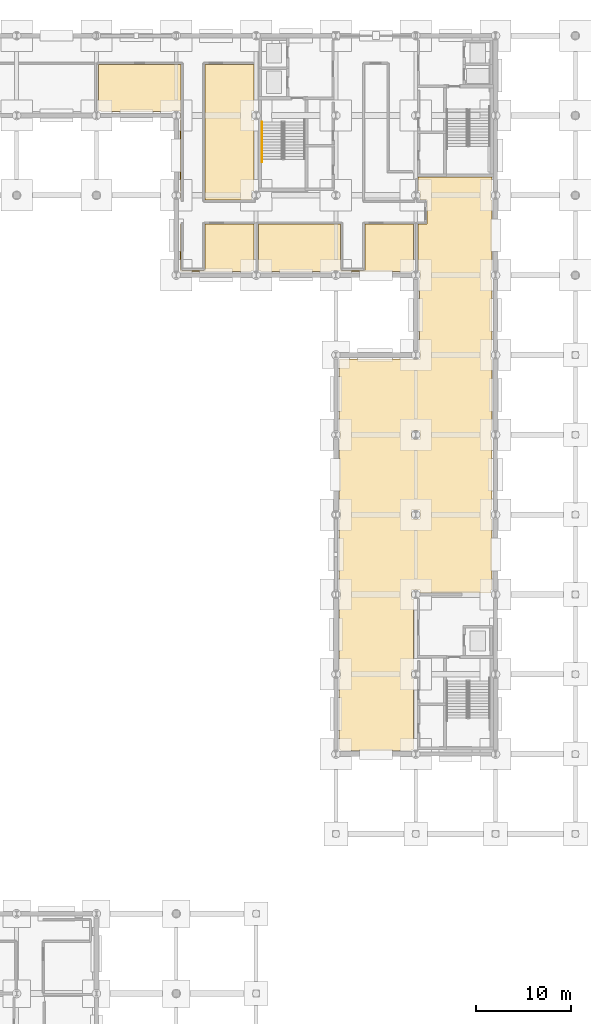
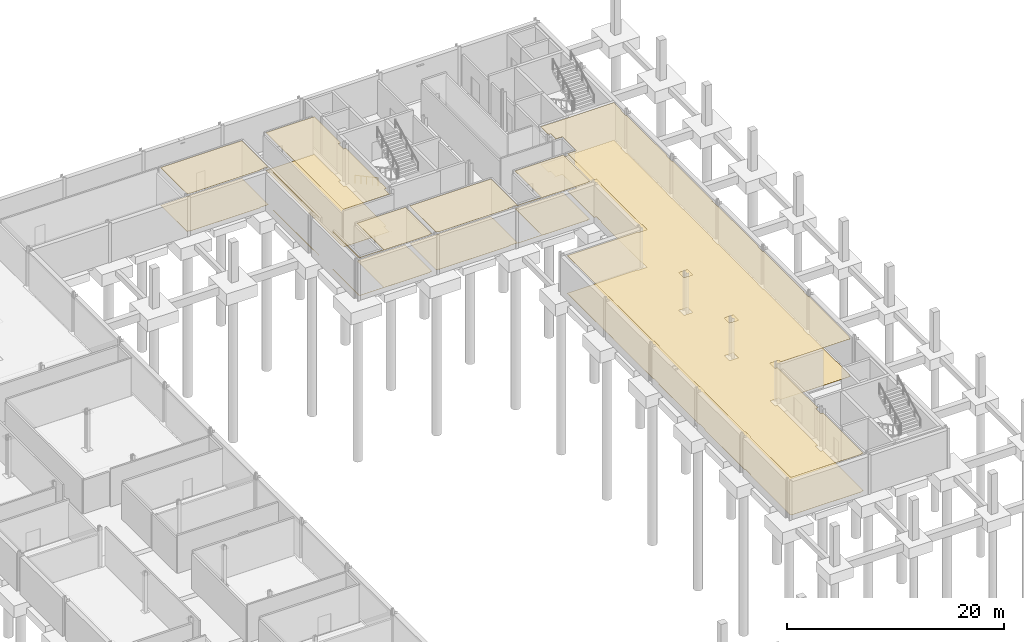
# One storey, part 41 of 43: 10 coverings, 1 railing.
"""IFC4 building model written with IfcOpenShell, lengths in metres."""

from ifc_helpers import new_model, si_unit, direction, frame, origin, origin_2d, place, context, subcontext, project, spatial, polyline, circle, outline, extrude, material, layer, layer_set, type_object, element, save


model = new_model("IFC4")

# Units and contexts
model_context = context("Model", 3, precision=1e-05, world=origin(), true_north=direction((0.0, 1.0)))
body_context = subcontext(model_context, "Body", "Model", "MODEL_VIEW")
ifc_project = project(units=[si_unit("LENGTHUNIT", "METRE"), si_unit("AREAUNIT", "SQUARE_METRE"), si_unit("VOLUMEUNIT", "CUBIC_METRE"), si_unit("PLANEANGLEUNIT", "RADIAN"), si_unit("MASSUNIT", "GRAM", prefix="KILO")], contexts=[model_context])

# Site, building, storey
site_placement = place(None, origin())
site = spatial("IfcSite", under=ifc_project, at=site_placement, CompositionType="ELEMENT")
building_placement = place(site_placement, origin())
building = spatial("IfcBuilding", under=site, at=building_placement, Name="Mersafa Astral City Hall", CompositionType="ELEMENT")
storey_placement = place(building_placement, frame((0.0, 0.0, -4.5)))
storey = spatial("IfcBuildingStorey", under=building, at=storey_placement, Name="B1", CompositionType="ELEMENT", Elevation=-4.5)

# Railing
ifc_material_1 = material(Name="Brushed stainless steel tubular handrail", Category="steel")
railing_type = type_object("IfcRailingType", Name="HANDRAIL", PredefinedType="HANDRAIL", material=ifc_material_1)
railing_placement = place(storey_placement, frame((151.830078125, 116.89990234375, 0.16064453125)))
element("IfcRailing", 1, at=railing_placement, inside=storey, type_object=railing_type, Name="B1 ST1 stair handrail 1", PredefinedType="HANDRAIL", context=body_context, shape_type="SweptSolid", body=[
    extrude(circle(Radius=0.02392578125, at=origin_2d()), frame((0.0, 0.0, 0.8759765625), z_axis=(0.0, -0.881200344737, 0.472743008869), x_axis=(1.0, 0.0, 0.0)), (0.0, 0.0, 1.0), 4.76611328125),
    extrude(circle(Radius=0.02099609375, at=origin_2d()), origin(), (0.0, 0.0, 1.0), 0.851806640625),
    extrude(circle(Radius=0.02099609375, at=origin_2d()), frame((0.0, -1.050048828125, 0.563232421875)), (0.0, 0.0, 1.0), 0.851806640625),
    extrude(circle(Radius=0.02099609375, at=origin_2d()), frame((0.0, -2.10009765625, 1.12646484375)), (0.0, 0.0, 1.0), 0.851806640625),
    extrude(circle(Radius=0.02099609375, at=origin_2d()), frame((0.0, -3.14990234375, 1.68994140625)), (0.0, 0.0, 1.0), 0.851806640625),
    extrude(circle(Radius=0.02099609375, at=origin_2d()), frame((0.0, -4.199951171875, 2.253173828125)), (0.0, 0.0, 1.0), 0.851806640625),
])

# Coverings
ifc_material_2 = material(Name="Perforated acoustic gypsum board ceiling", Category="gypsum")
ifc_layer_1 = layer(ifc_material_2, 0.02490234375, Name="Perforated acoustic gypsum board ceiling")
ifc_layer_set_1 = layer_set([ifc_layer_1], Name="Perforated acoustic gypsum board ceiling — INT-COV-CEIL-25")
covering_type_1 = type_object("IfcCoveringType", Name="INT-COV-CEIL-25", PredefinedType="CEILING", material=ifc_layer_set_1)
covering_1_placement = place(storey_placement, frame((0.0, 0.0, 4.23095703125)))
element("IfcCovering", 2, at=covering_1_placement, inside=storey, type_object=covering_type_1, Name="B1 Central Archive Stack B1-13 acoustic ceiling", PredefinedType="CEILING", context=body_context, shape_type="SweptSolid", body=[
    extrude(outline(polyline([(160.070068359375, 50.8701171875), (160.0, 50.8701171875), (160.0, 58.330078125), (160.070068359375, 58.330078125), (160.070068359375, 59.27001953125), (160.0, 59.27001953125), (160.0, 66.72998046875), (160.070068359375, 66.72998046875), (160.070068359375, 67.669921875), (160.0, 67.669921875), (160.0, 75.1298828125), (160.070068359375, 75.1298828125), (160.070068359375, 76.070068359375), (160.0, 76.070068359375), (160.0, 83.580078125), (160.02001953125, 83.580078125), (160.02001953125, 84.419921875), (160.0, 84.419921875), (160.0, 91.97998046875), (160.02001953125, 91.97998046875), (160.02001953125, 92.0), (167.530029296875, 92.0), (167.530029296875, 91.929931640625), (168.469970703125, 91.929931640625), (168.469970703125, 92.8701171875), (168.39990234375, 92.8701171875), (168.39990234375, 100.330078125), (168.469970703125, 100.330078125), (168.469970703125, 101.27001953125), (168.22998046875, 101.27001953125), (168.22998046875, 106.159912109375), (169.169921875, 106.159912109375), (169.169921875, 108.719970703125), (168.22998046875, 108.719970703125), (168.22998046875, 108.72998046875), (168.469970703125, 108.72998046875), (168.469970703125, 109.669921875), (168.22998046875, 109.669921875), (168.22998046875, 111.1201171875), (176.0, 111.1201171875), (176.0, 109.669921875), (175.929931640625, 109.669921875), (175.929931640625, 108.72998046875), (176.0, 108.72998046875), (176.0, 101.27001953125), (175.929931640625, 101.27001953125), (175.929931640625, 100.330078125), (176.0, 100.330078125), (176.0, 92.8701171875), (175.929931640625, 92.8701171875), (175.929931640625, 91.929931640625), (176.0, 91.929931640625), (176.0, 84.469970703125), (175.929931640625, 84.469970703125), (175.929931640625, 83.530029296875), (176.0, 83.530029296875), (176.0, 76.070068359375), (175.929931640625, 76.070068359375), (175.929931640625, 75.1298828125), (176.0, 75.1298828125), (176.0, 67.669921875), (175.929931640625, 67.669921875), (175.929931640625, 67.360107421875), (168.469970703125, 67.360107421875), (168.469970703125, 67.669921875), (167.530029296875, 67.669921875), (167.530029296875, 66.72998046875), (167.77001953125, 66.72998046875), (167.77001953125, 59.27001953125), (167.530029296875, 59.27001953125), (167.530029296875, 58.330078125), (167.77001953125, 58.330078125), (167.77001953125, 50.8701171875), (167.530029296875, 50.8701171875), (167.530029296875, 50.800048828125), (160.070068359375, 50.800048828125), (160.070068359375, 50.8701171875)]), holes=[polyline([(167.530029296875, 75.1298828125), (168.469970703125, 75.1298828125), (168.469970703125, 76.070068359375), (167.530029296875, 76.070068359375), (167.530029296875, 75.1298828125)]), polyline([(167.530029296875, 83.530029296875), (168.469970703125, 83.530029296875), (168.469970703125, 84.469970703125), (167.530029296875, 84.469970703125), (167.530029296875, 83.530029296875)])]), origin(), (0.0, 0.0, 1.0), 0.025146484375),
])
covering_2_placement = place(storey_placement, frame((0.0, 0.0, 4.23095703125)))
element("IfcCovering", 3, at=covering_2_placement, inside=storey, type_object=covering_type_1, Name="B1 Compact Shelving Vault B1-14 acoustic ceiling", PredefinedType="CEILING", context=body_context, shape_type="SweptSolid", body=[
    extrude(outline(polyline([(150.969970703125, 122.9599609375), (150.969970703125, 118.070068359375), (150.72998046875, 118.070068359375), (150.72998046875, 117.1298828125), (150.969970703125, 117.1298828125), (150.969970703125, 109.669921875), (150.72998046875, 109.669921875), (150.72998046875, 108.72998046875), (150.969970703125, 108.72998046875), (150.969970703125, 108.719970703125), (145.840087890625, 108.719970703125), (145.840087890625, 122.9599609375), (150.969970703125, 122.9599609375)])), origin(), (0.0, 0.0, 1.0), 0.025146484375),
])
covering_3_placement = place(storey_placement, frame((0.0, 0.0, 4.23095703125)))
element("IfcCovering", 4, at=covering_3_placement, inside=storey, type_object=covering_type_1, Name="B1 Municipal Deeds Repository B1-15 acoustic ceiling", PredefinedType="CEILING", context=body_context, shape_type="SweptSolid", body=[
    extrude(outline(polyline([(160.080078125, 106.159912109375), (160.080078125, 101.280029296875), (162.639892578125, 101.280029296875), (162.639892578125, 106.159912109375), (167.77001953125, 106.159912109375), (167.77001953125, 101.27001953125), (167.530029296875, 101.27001953125), (167.530029296875, 101.199951171875), (160.070068359375, 101.199951171875), (160.070068359375, 101.27001953125), (159.1298828125, 101.27001953125), (159.1298828125, 101.199951171875), (151.669921875, 101.199951171875), (151.669921875, 101.27001953125), (151.429931640625, 101.27001953125), (151.429931640625, 106.159912109375), (160.080078125, 106.159912109375)])), origin(), (0.0, 0.0, 1.0), 0.025146484375),
])
covering_4_placement = place(storey_placement, frame((0.0, 0.0, 4.23095703125)))
element("IfcCovering", 5, at=covering_4_placement, inside=storey, type_object=covering_type_1, Name="B1 Electrical Substation Room B1-18 acoustic ceiling", PredefinedType="CEILING", context=body_context, shape_type="SweptSolid", body=[
    extrude(outline(polyline([(143.280029296875, 122.9599609375), (143.280029296875, 108.719970703125), (143.199951171875, 108.719970703125), (143.199951171875, 108.72998046875), (143.27001953125, 108.72998046875), (143.27001953125, 109.669921875), (143.199951171875, 109.669921875), (143.199951171875, 117.1298828125), (143.27001953125, 117.1298828125), (143.27001953125, 118.070068359375), (142.330078125, 118.070068359375), (142.330078125, 118.0), (134.8701171875, 118.0), (134.8701171875, 118.070068359375), (134.6298828125, 118.070068359375), (134.6298828125, 122.9599609375), (143.280029296875, 122.9599609375)])), origin(), (0.0, 0.0, 1.0), 0.025146484375),
])
covering_5_placement = place(storey_placement, frame((0.0, 0.0, 4.23095703125)))
element("IfcCovering", 6, at=covering_5_placement, inside=storey, type_object=covering_type_1, Name="B1 Central Mail & Courier Sorting Room B1-24 acoustic ceiling", PredefinedType="CEILING", context=body_context, shape_type="SweptSolid", body=[
    extrude(outline(polyline([(143.27001953125, 101.27001953125), (143.199951171875, 101.27001953125), (143.199951171875, 106.159912109375), (143.280029296875, 106.159912109375), (143.280029296875, 101.280029296875), (145.840087890625, 101.280029296875), (145.840087890625, 106.159912109375), (150.969970703125, 106.159912109375), (150.969970703125, 101.27001953125), (150.72998046875, 101.27001953125), (150.72998046875, 101.199951171875), (143.27001953125, 101.199951171875), (143.27001953125, 101.27001953125)])), origin(), (0.0, 0.0, 1.0), 0.025146484375),
])
ifc_material_3 = material(Name="Honed Cairo limestone terrazzo flooring", Category="masonry")
ifc_layer_2 = layer(ifc_material_3, 0.02001953125, Name="Honed Cairo limestone terrazzo flooring")
ifc_layer_set_2 = layer_set([ifc_layer_2], Name="Honed Cairo limestone terrazzo flooring — INT-COV-FLR-20")
covering_type_2 = type_object("IfcCoveringType", Name="INT-COV-FLR-20", PredefinedType="FLOORING", material=ifc_layer_set_2)
covering_6_placement = place(storey_placement, frame((0.0, 0.0, -0.00146484375)))
element("IfcCovering", 7, at=covering_6_placement, inside=storey, type_object=covering_type_2, Name="B1 Central Archive Stack B1-13 architectural flooring", PredefinedType="FLOORING", context=body_context, shape_type="SweptSolid", body=[
    extrude(outline(polyline([(160.070068359375, 50.8701171875), (160.0, 50.8701171875), (160.0, 58.330078125), (160.070068359375, 58.330078125), (160.070068359375, 59.27001953125), (160.0, 59.27001953125), (160.0, 66.72998046875), (160.070068359375, 66.72998046875), (160.070068359375, 67.669921875), (160.0, 67.669921875), (160.0, 75.1298828125), (160.070068359375, 75.1298828125), (160.070068359375, 76.070068359375), (160.0, 76.070068359375), (160.0, 83.580078125), (160.02001953125, 83.580078125), (160.02001953125, 84.419921875), (160.0, 84.419921875), (160.0, 91.97998046875), (160.02001953125, 91.97998046875), (160.02001953125, 92.0), (167.530029296875, 92.0), (167.530029296875, 91.929931640625), (168.469970703125, 91.929931640625), (168.469970703125, 92.8701171875), (168.39990234375, 92.8701171875), (168.39990234375, 100.330078125), (168.469970703125, 100.330078125), (168.469970703125, 101.27001953125), (168.22998046875, 101.27001953125), (168.22998046875, 106.159912109375), (169.169921875, 106.159912109375), (169.169921875, 108.719970703125), (168.22998046875, 108.719970703125), (168.22998046875, 108.72998046875), (168.469970703125, 108.72998046875), (168.469970703125, 109.669921875), (168.22998046875, 109.669921875), (168.22998046875, 111.1201171875), (176.0, 111.1201171875), (176.0, 109.669921875), (175.929931640625, 109.669921875), (175.929931640625, 108.72998046875), (176.0, 108.72998046875), (176.0, 101.27001953125), (175.929931640625, 101.27001953125), (175.929931640625, 100.330078125), (176.0, 100.330078125), (176.0, 92.8701171875), (175.929931640625, 92.8701171875), (175.929931640625, 91.929931640625), (176.0, 91.929931640625), (176.0, 84.469970703125), (175.929931640625, 84.469970703125), (175.929931640625, 83.530029296875), (176.0, 83.530029296875), (176.0, 76.070068359375), (175.929931640625, 76.070068359375), (175.929931640625, 75.1298828125), (176.0, 75.1298828125), (176.0, 67.669921875), (175.929931640625, 67.669921875), (175.929931640625, 67.360107421875), (168.469970703125, 67.360107421875), (168.469970703125, 67.669921875), (167.530029296875, 67.669921875), (167.530029296875, 66.72998046875), (167.77001953125, 66.72998046875), (167.77001953125, 59.27001953125), (167.530029296875, 59.27001953125), (167.530029296875, 58.330078125), (167.77001953125, 58.330078125), (167.77001953125, 50.8701171875), (167.530029296875, 50.8701171875), (167.530029296875, 50.800048828125), (160.070068359375, 50.800048828125), (160.070068359375, 50.8701171875)]), holes=[polyline([(167.530029296875, 75.1298828125), (168.469970703125, 75.1298828125), (168.469970703125, 76.070068359375), (167.530029296875, 76.070068359375), (167.530029296875, 75.1298828125)]), polyline([(167.530029296875, 83.530029296875), (168.469970703125, 83.530029296875), (168.469970703125, 84.469970703125), (167.530029296875, 84.469970703125), (167.530029296875, 83.530029296875)])]), origin(), (0.0, 0.0, 1.0), 0.02001953125),
])
covering_7_placement = place(storey_placement, frame((0.0, 0.0, -0.00146484375)))
element("IfcCovering", 8, at=covering_7_placement, inside=storey, type_object=covering_type_2, Name="B1 Compact Shelving Vault B1-14 architectural flooring", PredefinedType="FLOORING", context=body_context, shape_type="SweptSolid", body=[
    extrude(outline(polyline([(150.969970703125, 122.9599609375), (150.969970703125, 118.070068359375), (150.72998046875, 118.070068359375), (150.72998046875, 117.1298828125), (150.969970703125, 117.1298828125), (150.969970703125, 109.669921875), (150.72998046875, 109.669921875), (150.72998046875, 108.72998046875), (150.969970703125, 108.72998046875), (150.969970703125, 108.719970703125), (145.840087890625, 108.719970703125), (145.840087890625, 122.9599609375), (150.969970703125, 122.9599609375)])), origin(), (0.0, 0.0, 1.0), 0.02001953125),
])
covering_8_placement = place(storey_placement, frame((0.0, 0.0, -0.00146484375)))
element("IfcCovering", 9, at=covering_8_placement, inside=storey, type_object=covering_type_2, Name="B1 Municipal Deeds Repository B1-15 architectural flooring", PredefinedType="FLOORING", context=body_context, shape_type="SweptSolid", body=[
    extrude(outline(polyline([(160.080078125, 106.159912109375), (160.080078125, 101.280029296875), (162.639892578125, 101.280029296875), (162.639892578125, 106.159912109375), (167.77001953125, 106.159912109375), (167.77001953125, 101.27001953125), (167.530029296875, 101.27001953125), (167.530029296875, 101.199951171875), (160.070068359375, 101.199951171875), (160.070068359375, 101.27001953125), (159.1298828125, 101.27001953125), (159.1298828125, 101.199951171875), (151.669921875, 101.199951171875), (151.669921875, 101.27001953125), (151.429931640625, 101.27001953125), (151.429931640625, 106.159912109375), (160.080078125, 106.159912109375)])), origin(), (0.0, 0.0, 1.0), 0.02001953125),
])
covering_9_placement = place(storey_placement, frame((0.0, 0.0, -0.00146484375)))
element("IfcCovering", 10, at=covering_9_placement, inside=storey, type_object=covering_type_2, Name="B1 Electrical Substation Room B1-18 architectural flooring", PredefinedType="FLOORING", context=body_context, shape_type="SweptSolid", body=[
    extrude(outline(polyline([(143.280029296875, 122.9599609375), (143.280029296875, 108.719970703125), (143.199951171875, 108.719970703125), (143.199951171875, 108.72998046875), (143.27001953125, 108.72998046875), (143.27001953125, 109.669921875), (143.199951171875, 109.669921875), (143.199951171875, 117.1298828125), (143.27001953125, 117.1298828125), (143.27001953125, 118.070068359375), (142.330078125, 118.070068359375), (142.330078125, 118.0), (134.8701171875, 118.0), (134.8701171875, 118.070068359375), (134.6298828125, 118.070068359375), (134.6298828125, 122.9599609375), (143.280029296875, 122.9599609375)])), origin(), (0.0, 0.0, 1.0), 0.02001953125),
])
covering_10_placement = place(storey_placement, frame((0.0, 0.0, -0.00146484375)))
element("IfcCovering", 11, at=covering_10_placement, inside=storey, type_object=covering_type_2, Name="B1 Central Mail & Courier Sorting Room B1-24 architectural flooring", PredefinedType="FLOORING", context=body_context, shape_type="SweptSolid", body=[
    extrude(outline(polyline([(143.27001953125, 101.27001953125), (143.199951171875, 101.27001953125), (143.199951171875, 106.159912109375), (143.280029296875, 106.159912109375), (143.280029296875, 101.280029296875), (145.840087890625, 101.280029296875), (145.840087890625, 106.159912109375), (150.969970703125, 106.159912109375), (150.969970703125, 101.27001953125), (150.72998046875, 101.27001953125), (150.72998046875, 101.199951171875), (143.27001953125, 101.199951171875), (143.27001953125, 101.27001953125)])), origin(), (0.0, 0.0, 1.0), 0.02001953125),
])

save(model, "model.ifc")
